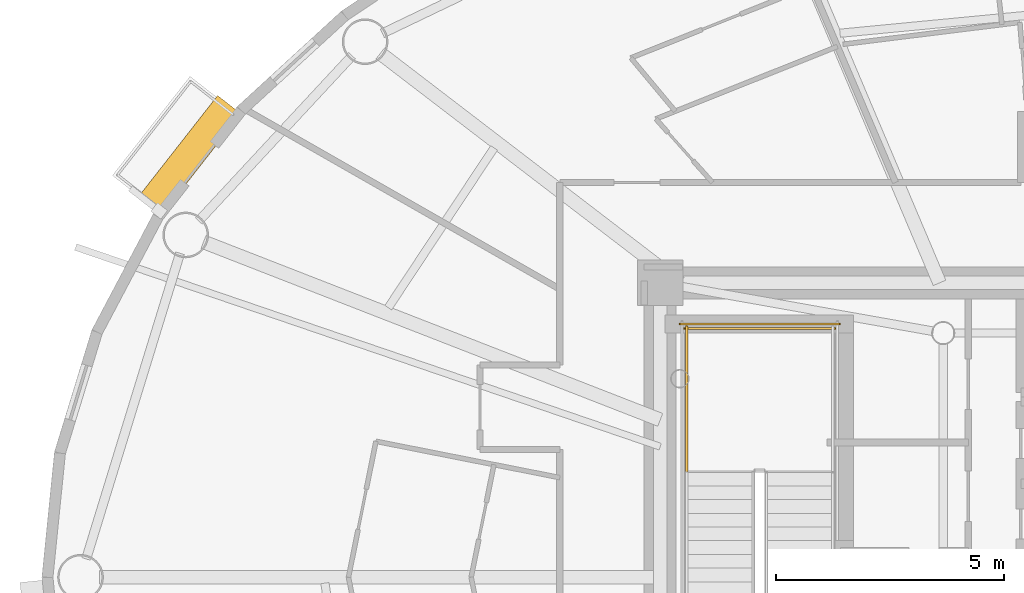
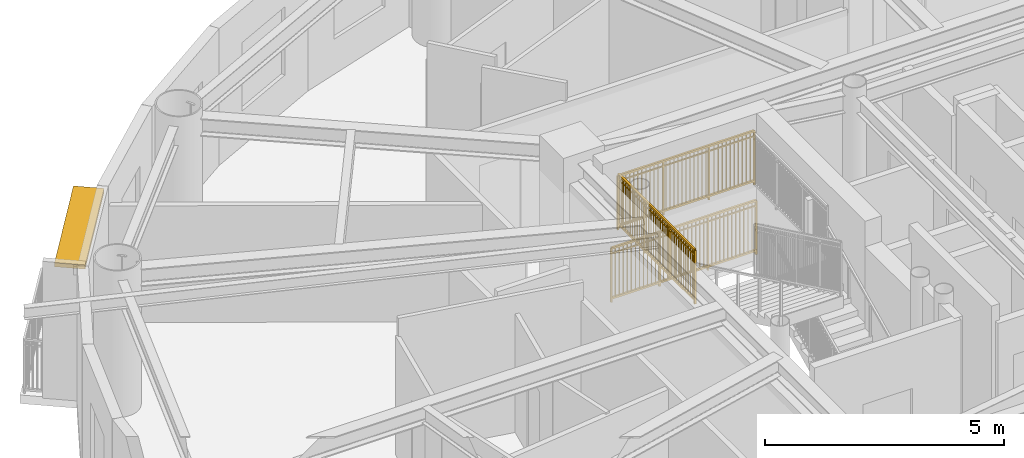
# One storey, part 14 of 17: 3 railings, 1 shading device.
"""IFC4 building model written with IfcOpenShell, lengths in metres."""

import ifcopenshell
import ifcopenshell.guid

model = None  # the IFC model being written
_history = None  # IfcOwnerHistory: only IFC2X3 demands one
_inside = {}  # id of a spatial element -> (the spatial element, [elements in it])
_under = {}  # id of a project, library or spatial element -> (it, [spatial elements below it])
_declared = {}  # id of a project -> (the project, [libraries it declares])
_typed = {}  # id of a type object -> (the type object, [elements of that type])
_made_of = {}  # id of a material, layer set ... -> (it, [elements and type objects made of it])


def new_model(schema):
    """Start an empty IFC model of exactly this schema.

    Asked for "IFC4X3", IfcOpenShell would pick the latest addendum, in which some entities
    have other attributes; the version numbers below select the first issue.
    IFC2X3 requires an IfcOwnerHistory on every rooted entity: one is made here for all.
    """
    global model, _history
    if schema == "IFC4X3":
        model = ifcopenshell.file(schema_version=(4, 3, 0, 0))
    else:
        model = ifcopenshell.file(schema=schema)
    _inside.clear()
    _under.clear()
    _declared.clear()
    _typed.clear()
    _made_of.clear()
    _history = None
    if model.schema == "IFC2X3":
        org = make("IfcOrganization", Name="unknown")
        user = make(
            "IfcPersonAndOrganization",
            ThePerson=make("IfcPerson", FamilyName="unknown"),
            TheOrganization=org,
        )
        app = make(
            "IfcApplication",
            ApplicationDeveloper=org,
            Version="unknown",
            ApplicationFullName="unknown",
            ApplicationIdentifier="unknown",
        )
        _history = make(
            "IfcOwnerHistory",
            OwningUser=user,
            OwningApplication=app,
            ChangeAction="ADDED",
            CreationDate=0,
        )
    return model


def make(cls, **values):
    """One entity of the class cls with the attributes given. An attribute that is None is left unset."""
    return model.create_entity(
        cls, **{name: value for name, value in values.items() if value is not None}
    )


def rooted(cls, **values):
    """An entity with a GlobalId (a new one), such as an element, a storey or a relation."""
    return make(cls, GlobalId=ifcopenshell.guid.new(), OwnerHistory=_history, **values)


def si_unit(unit_type, name, prefix=None):
    """IfcSIUnit, for example si_unit("LENGTHUNIT", "METRE", prefix="MILLI")."""
    return make("IfcSIUnit", UnitType=unit_type, Prefix=prefix, Name=name)


def assignment(units):
    """IfcUnitAssignment: the units of a project."""
    return None if units is None else make("IfcUnitAssignment", Units=units)


def point(xyz):
    """IfcCartesianPoint."""
    return None if xyz is None else make("IfcCartesianPoint", Coordinates=xyz)


def direction(xyz):
    """IfcDirection."""
    return None if xyz is None else make("IfcDirection", DirectionRatios=xyz)


def frame(location, z_axis=None, x_axis=None):
    """IfcAxis2Placement3D, a coordinate frame: its origin and axes. An axis left out is left unset."""
    return make(
        "IfcAxis2Placement3D",
        Location=point(location),
        Axis=direction(z_axis),
        RefDirection=direction(x_axis),
    )


def frame_2d(location, x_axis=None):
    """IfcAxis2Placement2D, a coordinate frame in the plane: its origin and x axis."""
    return make(
        "IfcAxis2Placement2D", Location=point(location), RefDirection=direction(x_axis)
    )


def origin():
    """The frame at (0, 0, 0) with its axes left unset."""
    return frame((0.0, 0.0, 0.0))


def origin_2d():
    """The frame at (0, 0) in the plane with its x axis left unset."""
    return frame_2d((0.0, 0.0))


def place(relative_to, where):
    """IfcLocalPlacement: puts the frame where relative to a parent placement (None: the world)."""
    return make(
        "IfcLocalPlacement", PlacementRelTo=relative_to, RelativePlacement=where
    )


def context(
    kind, dimensions, precision=None, world=None, true_north=None, identifier=None
):
    """IfcGeometricRepresentationContext, for example the 3D "Model" context."""
    return make(
        "IfcGeometricRepresentationContext",
        ContextIdentifier=identifier,
        ContextType=kind,
        CoordinateSpaceDimension=dimensions,
        Precision=precision,
        WorldCoordinateSystem=world,
        TrueNorth=true_north,
    )


def subcontext(parent, identifier, kind, view, scale=None):
    """IfcGeometricRepresentationSubContext, for example "Body" below "Model"."""
    return make(
        "IfcGeometricRepresentationSubContext",
        ContextIdentifier=identifier,
        ContextType=kind,
        ParentContext=parent,
        TargetScale=scale,
        TargetView=view,
    )


def project(units=None, contexts=None):
    """IfcProject with its units and contexts."""
    return rooted(
        "IfcProject",
        Name="project",
        RepresentationContexts=contexts,
        UnitsInContext=assignment(units),
    )


def spatial(cls, under=None, at=None, **own):
    """A site, building, storey or space (cls), placed at a placement, below another one or the project."""
    s = rooted(cls, ObjectPlacement=at, **own)
    if under is not None:
        _under.setdefault(under.id(), (under, []))[1].append(s)
    return s


def profile(cls, at=None, kind="AREA", **sizes):
    """A parametric profile (cls). Its sizes go by their IFC names, for example OverallWidth=200.0."""
    return make(cls, ProfileType=kind, Position=at, **sizes)


def rectangle(**sizes):
    """IfcRectangleProfileDef."""
    return profile("IfcRectangleProfileDef", **sizes)


def extrude(swept, where, along, depth):
    """IfcExtrudedAreaSolid: the profile swept, set in the frame where, extruded along a direction by depth."""
    return make(
        "IfcExtrudedAreaSolid",
        SweptArea=swept,
        Position=where,
        ExtrudedDirection=direction(along),
        Depth=depth,
    )


def shape(context_of_items, identifier, shape_type, items):
    """IfcShapeRepresentation: the items that make up one representation, for example the "Body"."""
    return make(
        "IfcShapeRepresentation",
        ContextOfItems=context_of_items,
        RepresentationIdentifier=identifier,
        RepresentationType=shape_type,
        Items=items,
    )


def source(mapping_origin, context_of_items, identifier, shape_type, items):
    """IfcRepresentationMap: a shape defined once, which mapped items show again and again."""
    return make(
        "IfcRepresentationMap",
        MappingOrigin=mapping_origin,
        MappedRepresentation=shape(context_of_items, identifier, shape_type, items),
    )


def transform(
    local_origin,
    x_axis=None,
    y_axis=None,
    z_axis=None,
    scale=None,
    scale2=None,
    scale3=None,
    uniform=True,
):
    """IfcCartesianTransformationOperator3D, or its non-uniform kind. x_axis, y_axis, z_axis: its Axis1, 2, 3."""
    if uniform:
        return make(
            "IfcCartesianTransformationOperator3D",
            Axis1=direction(x_axis),
            Axis2=direction(y_axis),
            LocalOrigin=point(local_origin),
            Scale=scale,
            Axis3=direction(z_axis),
        )
    return make(
        "IfcCartesianTransformationOperator3DnonUniform",
        Axis1=direction(x_axis),
        Axis2=direction(y_axis),
        LocalOrigin=point(local_origin),
        Scale=scale,
        Axis3=direction(z_axis),
        Scale2=scale2,
        Scale3=scale3,
    )


def mapped(mapping_source, mapping_target):
    """IfcMappedItem: shows the shape of a source again, moved by a transform."""
    return make(
        "IfcMappedItem", MappingSource=mapping_source, MappingTarget=mapping_target
    )


def material(Name=None, Category=None):
    """IfcMaterial."""
    return make("IfcMaterial", Name=Name, Category=Category)


def layer(
    of_material, thickness, ventilated=None, Name=None, Category=None, Priority=None
):
    """IfcMaterialLayer: one layer of a wall or slab, of a material (None: an air gap)."""
    return make(
        "IfcMaterialLayer",
        Material=of_material,
        LayerThickness=thickness,
        IsVentilated=ventilated,
        Name=Name,
        Category=Category,
        Priority=Priority,
    )


def layer_set(layers, Name=None):
    """IfcMaterialLayerSet."""
    return make("IfcMaterialLayerSet", MaterialLayers=layers, LayerSetName=Name)


def made_of(thing, what):
    """Note that an element or type object is made of a material, layer set ...; save() writes the relation."""
    if what is not None:
        _made_of.setdefault(what.id(), (what, []))[1].append(thing)
    return thing


def type_object(cls, material=None, **own):
    """A type object (cls), such as IfcWallType, which elements share."""
    return made_of(rooted(cls, **own), material)


def element(
    cls,
    number,
    at=None,
    inside=None,
    cuts=None,
    type_object=None,
    material=None,
    context=None,
    identifier="Body",
    shape_type=None,
    held_by="IfcProductDefinitionShape",
    body=None,
    shapes=None,
    **own,
):
    """One element of the class cls, such as IfcWall. Its Tag is "e" and its number.

    at: its placement. inside: the storey or other place that contains it. cuts: it is an
    opening in that element (IfcRelVoidsElement). A single representation is given by context,
    identifier, shape_type and body (its items); several are given by shapes. held_by: the class
    of the entity that holds the representations. save() writes the other relations.
    """
    e = rooted(cls, Tag="e%d" % number, ObjectPlacement=at, **own)
    if body is not None:
        shapes = [shape(context, identifier, shape_type, body)]
    if shapes is not None:
        e.Representation = make(held_by, Representations=shapes)
    if inside is not None:
        _inside.setdefault(inside.id(), (inside, []))[1].append(e)
    if cuts is not None:
        rooted(
            "IfcRelVoidsElement", RelatingBuildingElement=cuts, RelatedOpeningElement=e
        )
    if type_object is not None:
        _typed.setdefault(type_object.id(), (type_object, []))[1].append(e)
    return made_of(e, material)


def aggregate(whole, parts):
    """IfcRelAggregates: a whole, such as a stair, and the parts it consists of."""
    return rooted("IfcRelAggregates", RelatingObject=whole, RelatedObjects=parts)


def save(model, path):
    """Write the relations noted so far, then the file.

    IfcRelAggregates (storeys below a building ...), IfcRelContainedInSpatialStructure (elements
    in a storey), IfcRelDefinesByType, IfcRelAssociatesMaterial and IfcRelDeclares: one each for
    every whole, place, type object, material and project.
    """
    for whole, parts in _under.values():
        aggregate(whole, parts)
    for where, things in _inside.values():
        rooted(
            "IfcRelContainedInSpatialStructure",
            RelatedElements=things,
            RelatingStructure=where,
        )
    for kind, things in _typed.values():
        rooted("IfcRelDefinesByType", RelatedObjects=things, RelatingType=kind)
    for what, things in _made_of.values():
        rooted("IfcRelAssociatesMaterial", RelatedObjects=things, RelatingMaterial=what)
    for by, libraries in _declared.values():
        rooted("IfcRelDeclares", RelatingContext=by, RelatedDefinitions=libraries)
    model.write(path)


model = new_model("IFC4")

# Units and contexts
model_context = context("Model", 3, precision=1e-05, world=origin(), true_north=direction((0.0, 1.0)))
body_context = subcontext(model_context, "Body", "Model", "MODEL_VIEW")
ifc_project = project(units=[si_unit("LENGTHUNIT", "METRE"), si_unit("AREAUNIT", "SQUARE_METRE"), si_unit("VOLUMEUNIT", "CUBIC_METRE"), si_unit("PLANEANGLEUNIT", "RADIAN"), si_unit("MASSUNIT", "GRAM", prefix="KILO")], contexts=[model_context])

# Site, building, storey
site_placement = place(None, origin())
site = spatial("IfcSite", under=ifc_project, at=site_placement, CompositionType="ELEMENT")
building_placement = place(site_placement, origin())
building = spatial("IfcBuilding", under=site, at=building_placement, Name="Linh Dai School and Residence Tower", CompositionType="ELEMENT")
storey_placement = place(building_placement, frame((0.0, 0.0, 299.25)))
storey = spatial("IfcBuildingStorey", under=building, at=storey_placement, Name="L74", CompositionType="ELEMENT", Elevation=299.25)

# Shading device
ifc_material_1 = material(Name="Terracotta Ceramic Sunshade", Category="masonry")
ifc_layer = layer(ifc_material_1, 0.10009765625)
ifc_layer_set = layer_set([ifc_layer], Name="Terracotta Ceramic Sunshade")
shading_device_type = type_object("IfcShadingDeviceType", Name="SHD-TC-650", PredefinedType="USERDEFINED", material=ifc_layer_set)
shared_shape_1 = source(origin(), body_context, "Body", "SweptSolid", [
    extrude(rectangle(XDim=2.84033203125, YDim=0.64990234375, at=origin_2d()), origin(), (0.0, 0.0, 1.0), 0.10009765625),
])
shading_device_placement = place(storey_placement, frame((16.83349609375, 36.2353515625, 3.3798828125), z_axis=(0.0, 0.0, 1.0), x_axis=(0.616310813471, 0.78750300393, 0.0)))
element("IfcShadingDevice", 1, at=shading_device_placement, inside=storey, type_object=shading_device_type, Name="L74 Terracotta Horizontal Sunshade Band 17", ObjectType="SUNSHADE", PredefinedType="USERDEFINED", context=body_context, shape_type="MappedRepresentation", body=[
    mapped(shared_shape_1, transform((0.0, 0.0, 0.0), x_axis=(1.0, 0.0, 0.0), y_axis=(0.0, 1.0, 0.0), z_axis=(0.0, 0.0, 1.0), scale=1.0)),
])

# Railings
ifc_material_2 = material(Name="Structural Steel S355JR", Category="steel")
railing_type = type_object("IfcRailingType", Name="RL-ST-GUARD-1400", PredefinedType="GUARDRAIL", material=ifc_material_2)
shared_shape_2 = source(origin(), body_context, "Body", "SweptSolid", [
    extrude(rectangle(XDim=0.048095703125, YDim=0.048095703125, at=origin_2d()), frame((0.0, 0.0, 1.3759765625), z_axis=(-1.0, 0.0, 0.0), x_axis=(0.0, -1.0, 0.0)), (0.0, 0.0, 1.0), 3.300048828125),
    extrude(rectangle(XDim=0.048095703125, YDim=0.048095703125, at=origin_2d()), frame((0.0, 0.0, 0.10009765625), z_axis=(-1.0, 0.0, 0.0), x_axis=(0.0, -1.0, 0.0)), (0.0, 0.0, 1.0), 3.300048828125),
    extrude(rectangle(XDim=0.030029296875, YDim=0.030029296875, at=origin_2d()), frame((0.0, 0.0, 1.239990234375), z_axis=(-1.0, 0.0, 0.0), x_axis=(0.0, -1.0, 0.0)), (0.0, 0.0, 1.0), 3.300048828125),
    extrude(rectangle(XDim=0.02001953125, YDim=0.02001953125, at=origin_2d()), frame((-0.09716796875, 0.0, 0.10009765625)), (0.0, 0.0, 1.0), 1.251708984375),
    extrude(rectangle(XDim=0.02001953125, YDim=0.02001953125, at=origin_2d()), frame((-0.194091796875, 0.0, 0.10009765625)), (0.0, 0.0, 1.0), 1.251708984375),
    extrude(rectangle(XDim=0.02001953125, YDim=0.02001953125, at=origin_2d()), frame((-0.291259765625, 0.0, 0.10009765625)), (0.0, 0.0, 1.0), 1.251708984375),
    extrude(rectangle(XDim=0.02001953125, YDim=0.02001953125, at=origin_2d()), frame((-0.38818359375, 0.0, 0.10009765625)), (0.0, 0.0, 1.0), 1.251708984375),
    extrude(rectangle(XDim=0.02001953125, YDim=0.02001953125, at=origin_2d()), frame((-0.4853515625, 0.0, 0.10009765625)), (0.0, 0.0, 1.0), 1.251708984375),
    extrude(rectangle(XDim=0.02001953125, YDim=0.02001953125, at=origin_2d()), frame((-0.582275390625, 0.0, 0.10009765625)), (0.0, 0.0, 1.0), 1.251708984375),
    extrude(rectangle(XDim=0.02001953125, YDim=0.02001953125, at=origin_2d()), frame((-0.679443359375, 0.0, 0.10009765625)), (0.0, 0.0, 1.0), 1.251708984375),
    extrude(rectangle(XDim=0.02001953125, YDim=0.02001953125, at=origin_2d()), frame((-0.7763671875, 0.0, 0.10009765625)), (0.0, 0.0, 1.0), 1.251708984375),
    extrude(rectangle(XDim=0.02001953125, YDim=0.02001953125, at=origin_2d()), frame((-0.87353515625, 0.0, 0.10009765625)), (0.0, 0.0, 1.0), 1.251708984375),
    extrude(rectangle(XDim=0.02001953125, YDim=0.02001953125, at=origin_2d()), frame((-0.970703125, 0.0, 0.10009765625)), (0.0, 0.0, 1.0), 1.251708984375),
    extrude(rectangle(XDim=0.02001953125, YDim=0.02001953125, at=origin_2d()), frame((-1.164794921875, 0.0, 0.10009765625)), (0.0, 0.0, 1.0), 1.251708984375),
    extrude(rectangle(XDim=0.02001953125, YDim=0.02001953125, at=origin_2d()), frame((-1.26171875, 0.0, 0.10009765625)), (0.0, 0.0, 1.0), 1.251708984375),
    extrude(rectangle(XDim=0.02001953125, YDim=0.02001953125, at=origin_2d()), frame((-1.35888671875, 0.0, 0.10009765625)), (0.0, 0.0, 1.0), 1.251708984375),
    extrude(rectangle(XDim=0.02001953125, YDim=0.02001953125, at=origin_2d()), frame((-1.455810546875, 0.0, 0.10009765625)), (0.0, 0.0, 1.0), 1.251708984375),
    extrude(rectangle(XDim=0.02001953125, YDim=0.02001953125, at=origin_2d()), frame((-1.552978515625, 0.0, 0.10009765625)), (0.0, 0.0, 1.0), 1.251708984375),
    extrude(rectangle(XDim=0.02001953125, YDim=0.02001953125, at=origin_2d()), frame((-1.64990234375, 0.0, 0.10009765625)), (0.0, 0.0, 1.0), 1.251708984375),
    extrude(rectangle(XDim=0.02001953125, YDim=0.02001953125, at=origin_2d()), frame((-1.7470703125, 0.0, 0.10009765625)), (0.0, 0.0, 1.0), 1.251708984375),
    extrude(rectangle(XDim=0.02001953125, YDim=0.02001953125, at=origin_2d()), frame((-1.84423828125, 0.0, 0.10009765625)), (0.0, 0.0, 1.0), 1.251708984375),
    extrude(rectangle(XDim=0.02001953125, YDim=0.02001953125, at=origin_2d()), frame((-1.941162109375, 0.0, 0.10009765625)), (0.0, 0.0, 1.0), 1.251708984375),
    extrude(rectangle(XDim=0.02001953125, YDim=0.02001953125, at=origin_2d()), frame((-2.038330078125, 0.0, 0.10009765625)), (0.0, 0.0, 1.0), 1.251708984375),
    extrude(rectangle(XDim=0.02001953125, YDim=0.02001953125, at=origin_2d()), frame((-2.13525390625, 0.0, 0.10009765625)), (0.0, 0.0, 1.0), 1.251708984375),
    extrude(rectangle(XDim=0.02001953125, YDim=0.02001953125, at=origin_2d()), frame((-2.329345703125, 0.0, 0.10009765625)), (0.0, 0.0, 1.0), 1.251708984375),
    extrude(rectangle(XDim=0.02001953125, YDim=0.02001953125, at=origin_2d()), frame((-2.426513671875, 0.0, 0.10009765625)), (0.0, 0.0, 1.0), 1.251708984375),
    extrude(rectangle(XDim=0.02001953125, YDim=0.02001953125, at=origin_2d()), frame((-2.523681640625, 0.0, 0.10009765625)), (0.0, 0.0, 1.0), 1.251708984375),
    extrude(rectangle(XDim=0.02001953125, YDim=0.02001953125, at=origin_2d()), frame((-2.62060546875, 0.0, 0.10009765625)), (0.0, 0.0, 1.0), 1.251708984375),
    extrude(rectangle(XDim=0.02001953125, YDim=0.02001953125, at=origin_2d()), frame((-2.7177734375, 0.0, 0.10009765625)), (0.0, 0.0, 1.0), 1.251708984375),
    extrude(rectangle(XDim=0.02001953125, YDim=0.02001953125, at=origin_2d()), frame((-2.814697265625, 0.0, 0.10009765625)), (0.0, 0.0, 1.0), 1.251708984375),
    extrude(rectangle(XDim=0.02001953125, YDim=0.02001953125, at=origin_2d()), frame((-2.911865234375, 0.0, 0.10009765625)), (0.0, 0.0, 1.0), 1.251708984375),
    extrude(rectangle(XDim=0.02001953125, YDim=0.02001953125, at=origin_2d()), frame((-3.0087890625, 0.0, 0.10009765625)), (0.0, 0.0, 1.0), 1.251708984375),
    extrude(rectangle(XDim=0.02001953125, YDim=0.02001953125, at=origin_2d()), frame((-3.10595703125, 0.0, 0.10009765625)), (0.0, 0.0, 1.0), 1.251708984375),
    extrude(rectangle(XDim=0.02001953125, YDim=0.02001953125, at=origin_2d()), frame((-3.202880859375, 0.0, 0.10009765625)), (0.0, 0.0, 1.0), 1.251708984375),
    extrude(rectangle(XDim=0.0419921875, YDim=0.0419921875, at=origin_2d()), origin(), (0.0, 0.0, 1.0), 1.3759765625),
    extrude(rectangle(XDim=0.0419921875, YDim=0.0419921875, at=origin_2d()), frame((-1.10009765625, 0.0, 0.0)), (0.0, 0.0, 1.0), 1.3759765625),
    extrude(rectangle(XDim=0.0419921875, YDim=0.0419921875, at=origin_2d()), frame((-2.199951171875, 0.0, 0.0)), (0.0, 0.0, 1.0), 1.3759765625),
    extrude(rectangle(XDim=0.0419921875, YDim=0.0419921875, at=origin_2d()), frame((-3.300048828125, 0.0, 0.0)), (0.0, 0.0, 1.0), 1.3759765625),
])
railing_1_placement = place(storey_placement, frame((30.97998046875, 32.449951171875, 1.875)))
element("IfcRailing", 2, at=railing_1_placement, inside=storey, type_object=railing_type, Name="L74 ST1 stair guard 5", PredefinedType="GUARDRAIL", context=body_context, shape_type="MappedRepresentation", body=[
    mapped(shared_shape_2, transform((0.0, 0.0, 0.0), x_axis=(1.0, 0.0, 0.0), y_axis=(0.0, 1.0, 0.0), z_axis=(0.0, 0.0, 1.0), scale=1.0)),
])
shared_shape_3 = source(origin(), body_context, "Body", "SweptSolid", [
    extrude(rectangle(XDim=0.048095703125, YDim=0.048095703125, at=origin_2d()), frame((0.0, 0.0, 1.3759765625), z_axis=(-1.0, 0.0, 0.0), x_axis=(0.0, -1.0, 0.0)), (0.0, 0.0, 1.0), 3.5),
    extrude(rectangle(XDim=0.048095703125, YDim=0.048095703125, at=origin_2d()), frame((0.0, 0.0, 0.10009765625), z_axis=(-1.0, 0.0, 0.0), x_axis=(0.0, -1.0, 0.0)), (0.0, 0.0, 1.0), 3.5),
    extrude(rectangle(XDim=0.030029296875, YDim=0.030029296875, at=origin_2d()), frame((0.0, 0.0, 1.239990234375), z_axis=(-1.0, 0.0, 0.0), x_axis=(0.0, -1.0, 0.0)), (0.0, 0.0, 1.0), 3.5),
    extrude(rectangle(XDim=0.02001953125, YDim=0.02001953125, at=origin_2d()), frame((-0.09716796875, 0.0, 0.10009765625)), (0.0, 0.0, 1.0), 1.251708984375),
    extrude(rectangle(XDim=0.02001953125, YDim=0.02001953125, at=origin_2d()), frame((-0.1943359375, 0.0, 0.10009765625)), (0.0, 0.0, 1.0), 1.251708984375),
    extrude(rectangle(XDim=0.02001953125, YDim=0.02001953125, at=origin_2d()), frame((-0.291748046875, 0.0, 0.10009765625)), (0.0, 0.0, 1.0), 1.251708984375),
    extrude(rectangle(XDim=0.02001953125, YDim=0.02001953125, at=origin_2d()), frame((-0.388916015625, 0.0, 0.10009765625)), (0.0, 0.0, 1.0), 1.251708984375),
    extrude(rectangle(XDim=0.02001953125, YDim=0.02001953125, at=origin_2d()), frame((-0.486083984375, 0.0, 0.10009765625)), (0.0, 0.0, 1.0), 1.251708984375),
    extrude(rectangle(XDim=0.02001953125, YDim=0.02001953125, at=origin_2d()), frame((-0.583251953125, 0.0, 0.10009765625)), (0.0, 0.0, 1.0), 1.251708984375),
    extrude(rectangle(XDim=0.02001953125, YDim=0.02001953125, at=origin_2d()), frame((-0.6806640625, 0.0, 0.10009765625)), (0.0, 0.0, 1.0), 1.251708984375),
    extrude(rectangle(XDim=0.02001953125, YDim=0.02001953125, at=origin_2d()), frame((-0.77783203125, 0.0, 0.10009765625)), (0.0, 0.0, 1.0), 1.251708984375),
    extrude(rectangle(XDim=0.02001953125, YDim=0.02001953125, at=origin_2d()), frame((-0.875, 0.0, 0.10009765625)), (0.0, 0.0, 1.0), 1.251708984375),
    extrude(rectangle(XDim=0.02001953125, YDim=0.02001953125, at=origin_2d()), frame((-0.97216796875, 0.0, 0.10009765625)), (0.0, 0.0, 1.0), 1.251708984375),
    extrude(rectangle(XDim=0.02001953125, YDim=0.02001953125, at=origin_2d()), frame((-1.0693359375, 0.0, 0.10009765625)), (0.0, 0.0, 1.0), 1.251708984375),
    extrude(rectangle(XDim=0.02001953125, YDim=0.02001953125, at=origin_2d()), frame((-1.263916015625, 0.0, 0.10009765625)), (0.0, 0.0, 1.0), 1.251708984375),
    extrude(rectangle(XDim=0.02001953125, YDim=0.02001953125, at=origin_2d()), frame((-1.361083984375, 0.0, 0.10009765625)), (0.0, 0.0, 1.0), 1.251708984375),
    extrude(rectangle(XDim=0.02001953125, YDim=0.02001953125, at=origin_2d()), frame((-1.458251953125, 0.0, 0.10009765625)), (0.0, 0.0, 1.0), 1.251708984375),
    extrude(rectangle(XDim=0.02001953125, YDim=0.02001953125, at=origin_2d()), frame((-1.5556640625, 0.0, 0.10009765625)), (0.0, 0.0, 1.0), 1.251708984375),
    extrude(rectangle(XDim=0.02001953125, YDim=0.02001953125, at=origin_2d()), frame((-1.65283203125, 0.0, 0.10009765625)), (0.0, 0.0, 1.0), 1.251708984375),
    extrude(rectangle(XDim=0.02001953125, YDim=0.02001953125, at=origin_2d()), frame((-1.75, 0.0, 0.10009765625)), (0.0, 0.0, 1.0), 1.251708984375),
    extrude(rectangle(XDim=0.02001953125, YDim=0.02001953125, at=origin_2d()), frame((-1.84716796875, 0.0, 0.10009765625)), (0.0, 0.0, 1.0), 1.251708984375),
    extrude(rectangle(XDim=0.02001953125, YDim=0.02001953125, at=origin_2d()), frame((-1.9443359375, 0.0, 0.10009765625)), (0.0, 0.0, 1.0), 1.251708984375),
    extrude(rectangle(XDim=0.02001953125, YDim=0.02001953125, at=origin_2d()), frame((-2.041748046875, 0.0, 0.10009765625)), (0.0, 0.0, 1.0), 1.251708984375),
    extrude(rectangle(XDim=0.02001953125, YDim=0.02001953125, at=origin_2d()), frame((-2.138916015625, 0.0, 0.10009765625)), (0.0, 0.0, 1.0), 1.251708984375),
    extrude(rectangle(XDim=0.02001953125, YDim=0.02001953125, at=origin_2d()), frame((-2.236083984375, 0.0, 0.10009765625)), (0.0, 0.0, 1.0), 1.251708984375),
    extrude(rectangle(XDim=0.02001953125, YDim=0.02001953125, at=origin_2d()), frame((-2.4306640625, 0.0, 0.10009765625)), (0.0, 0.0, 1.0), 1.251708984375),
    extrude(rectangle(XDim=0.02001953125, YDim=0.02001953125, at=origin_2d()), frame((-2.52783203125, 0.0, 0.10009765625)), (0.0, 0.0, 1.0), 1.251708984375),
    extrude(rectangle(XDim=0.02001953125, YDim=0.02001953125, at=origin_2d()), frame((-2.625, 0.0, 0.10009765625)), (0.0, 0.0, 1.0), 1.251708984375),
    extrude(rectangle(XDim=0.02001953125, YDim=0.02001953125, at=origin_2d()), frame((-2.72216796875, 0.0, 0.10009765625)), (0.0, 0.0, 1.0), 1.251708984375),
    extrude(rectangle(XDim=0.02001953125, YDim=0.02001953125, at=origin_2d()), frame((-2.8193359375, 0.0, 0.10009765625)), (0.0, 0.0, 1.0), 1.251708984375),
    extrude(rectangle(XDim=0.02001953125, YDim=0.02001953125, at=origin_2d()), frame((-2.916748046875, 0.0, 0.10009765625)), (0.0, 0.0, 1.0), 1.251708984375),
    extrude(rectangle(XDim=0.02001953125, YDim=0.02001953125, at=origin_2d()), frame((-3.013916015625, 0.0, 0.10009765625)), (0.0, 0.0, 1.0), 1.251708984375),
    extrude(rectangle(XDim=0.02001953125, YDim=0.02001953125, at=origin_2d()), frame((-3.111083984375, 0.0, 0.10009765625)), (0.0, 0.0, 1.0), 1.251708984375),
    extrude(rectangle(XDim=0.02001953125, YDim=0.02001953125, at=origin_2d()), frame((-3.208251953125, 0.0, 0.10009765625)), (0.0, 0.0, 1.0), 1.251708984375),
    extrude(rectangle(XDim=0.02001953125, YDim=0.02001953125, at=origin_2d()), frame((-3.3056640625, 0.0, 0.10009765625)), (0.0, 0.0, 1.0), 1.251708984375),
    extrude(rectangle(XDim=0.02001953125, YDim=0.02001953125, at=origin_2d()), frame((-3.40283203125, 0.0, 0.10009765625)), (0.0, 0.0, 1.0), 1.251708984375),
    extrude(rectangle(XDim=0.0419921875, YDim=0.0419921875, at=origin_2d()), origin(), (0.0, 0.0, 1.0), 1.3759765625),
    extrude(rectangle(XDim=0.0419921875, YDim=0.0419921875, at=origin_2d()), frame((-1.166748046875, 0.0, 0.0)), (0.0, 0.0, 1.0), 1.3759765625),
    extrude(rectangle(XDim=0.0419921875, YDim=0.0419921875, at=origin_2d()), frame((-2.333251953125, 0.0, 0.0)), (0.0, 0.0, 1.0), 1.3759765625),
    extrude(rectangle(XDim=0.0419921875, YDim=0.0419921875, at=origin_2d()), frame((-3.5, 0.0, 0.0)), (0.0, 0.0, 1.0), 1.3759765625),
])
railing_2_placement = place(storey_placement, frame((31.080078125, 32.550048828125, 0.0)))
element("IfcRailing", 3, at=railing_2_placement, inside=storey, type_object=railing_type, Name="L74 ST1 stair guard 12", PredefinedType="GUARDRAIL", context=body_context, shape_type="MappedRepresentation", body=[
    mapped(shared_shape_3, transform((0.0, 0.0, 0.0), x_axis=(1.0, 0.0, 0.0), y_axis=(0.0, 1.0, 0.0), z_axis=(0.0, 0.0, 1.0), scale=1.0)),
])
shared_shape_4 = source(origin(), body_context, "Body", "SweptSolid", [
    extrude(rectangle(XDim=0.048095703125, YDim=0.048095703125, at=origin_2d()), frame((0.0, 0.0, 1.3759765625), z_axis=(0.0, 1.0, 0.0), x_axis=(-1.0, 0.0, 0.0)), (0.0, 0.0, 1.0), 3.199951171875),
    extrude(rectangle(XDim=0.048095703125, YDim=0.048095703125, at=origin_2d()), frame((0.0, 0.0, 0.10009765625), z_axis=(0.0, 1.0, 0.0), x_axis=(-1.0, 0.0, 0.0)), (0.0, 0.0, 1.0), 3.199951171875),
    extrude(rectangle(XDim=0.030029296875, YDim=0.030029296875, at=origin_2d()), frame((0.0, 0.0, 1.239990234375), z_axis=(0.0, 1.0, 0.0), x_axis=(-1.0, 0.0, 0.0)), (0.0, 0.0, 1.0), 3.199951171875),
    extrude(rectangle(XDim=0.02001953125, YDim=0.02001953125, at=origin_2d()), frame((0.0, 0.096923828125, 0.10009765625)), (0.0, 0.0, 1.0), 1.251708984375),
    extrude(rectangle(XDim=0.02001953125, YDim=0.02001953125, at=origin_2d()), frame((0.0, 0.19384765625, 0.10009765625)), (0.0, 0.0, 1.0), 1.251708984375),
    extrude(rectangle(XDim=0.02001953125, YDim=0.02001953125, at=origin_2d()), frame((0.0, 0.291015625, 0.10009765625)), (0.0, 0.0, 1.0), 1.251708984375),
    extrude(rectangle(XDim=0.02001953125, YDim=0.02001953125, at=origin_2d()), frame((0.0, 0.387939453125, 0.10009765625)), (0.0, 0.0, 1.0), 1.251708984375),
    extrude(rectangle(XDim=0.02001953125, YDim=0.02001953125, at=origin_2d()), frame((0.0, 0.48486328125, 0.10009765625)), (0.0, 0.0, 1.0), 1.251708984375),
    extrude(rectangle(XDim=0.02001953125, YDim=0.02001953125, at=origin_2d()), frame((0.0, 0.581787109375, 0.10009765625)), (0.0, 0.0, 1.0), 1.251708984375),
    extrude(rectangle(XDim=0.02001953125, YDim=0.02001953125, at=origin_2d()), frame((0.0, 0.6787109375, 0.10009765625)), (0.0, 0.0, 1.0), 1.251708984375),
    extrude(rectangle(XDim=0.02001953125, YDim=0.02001953125, at=origin_2d()), frame((0.0, 0.775634765625, 0.10009765625)), (0.0, 0.0, 1.0), 1.251708984375),
    extrude(rectangle(XDim=0.02001953125, YDim=0.02001953125, at=origin_2d()), frame((0.0, 0.872802734375, 0.10009765625)), (0.0, 0.0, 1.0), 1.251708984375),
    extrude(rectangle(XDim=0.02001953125, YDim=0.02001953125, at=origin_2d()), frame((0.0, 0.9697265625, 0.10009765625)), (0.0, 0.0, 1.0), 1.251708984375),
    extrude(rectangle(XDim=0.02001953125, YDim=0.02001953125, at=origin_2d()), frame((0.0, 1.16357421875, 0.10009765625)), (0.0, 0.0, 1.0), 1.251708984375),
    extrude(rectangle(XDim=0.02001953125, YDim=0.02001953125, at=origin_2d()), frame((0.0, 1.260498046875, 0.10009765625)), (0.0, 0.0, 1.0), 1.251708984375),
    extrude(rectangle(XDim=0.02001953125, YDim=0.02001953125, at=origin_2d()), frame((0.0, 1.357666015625, 0.10009765625)), (0.0, 0.0, 1.0), 1.251708984375),
    extrude(rectangle(XDim=0.02001953125, YDim=0.02001953125, at=origin_2d()), frame((0.0, 1.45458984375, 0.10009765625)), (0.0, 0.0, 1.0), 1.251708984375),
    extrude(rectangle(XDim=0.02001953125, YDim=0.02001953125, at=origin_2d()), frame((0.0, 1.551513671875, 0.10009765625)), (0.0, 0.0, 1.0), 1.251708984375),
    extrude(rectangle(XDim=0.02001953125, YDim=0.02001953125, at=origin_2d()), frame((0.0, 1.6484375, 0.10009765625)), (0.0, 0.0, 1.0), 1.251708984375),
    extrude(rectangle(XDim=0.02001953125, YDim=0.02001953125, at=origin_2d()), frame((0.0, 1.745361328125, 0.10009765625)), (0.0, 0.0, 1.0), 1.251708984375),
    extrude(rectangle(XDim=0.02001953125, YDim=0.02001953125, at=origin_2d()), frame((0.0, 1.84228515625, 0.10009765625)), (0.0, 0.0, 1.0), 1.251708984375),
    extrude(rectangle(XDim=0.02001953125, YDim=0.02001953125, at=origin_2d()), frame((0.0, 1.939453125, 0.10009765625)), (0.0, 0.0, 1.0), 1.251708984375),
    extrude(rectangle(XDim=0.02001953125, YDim=0.02001953125, at=origin_2d()), frame((0.0, 2.036376953125, 0.10009765625)), (0.0, 0.0, 1.0), 1.251708984375),
    extrude(rectangle(XDim=0.02001953125, YDim=0.02001953125, at=origin_2d()), frame((0.0, 2.230224609375, 0.10009765625)), (0.0, 0.0, 1.0), 1.251708984375),
    extrude(rectangle(XDim=0.02001953125, YDim=0.02001953125, at=origin_2d()), frame((0.0, 2.3271484375, 0.10009765625)), (0.0, 0.0, 1.0), 1.251708984375),
    extrude(rectangle(XDim=0.02001953125, YDim=0.02001953125, at=origin_2d()), frame((0.0, 2.42431640625, 0.10009765625)), (0.0, 0.0, 1.0), 1.251708984375),
    extrude(rectangle(XDim=0.02001953125, YDim=0.02001953125, at=origin_2d()), frame((0.0, 2.521240234375, 0.10009765625)), (0.0, 0.0, 1.0), 1.251708984375),
    extrude(rectangle(XDim=0.02001953125, YDim=0.02001953125, at=origin_2d()), frame((0.0, 2.6181640625, 0.10009765625)), (0.0, 0.0, 1.0), 1.251708984375),
    extrude(rectangle(XDim=0.02001953125, YDim=0.02001953125, at=origin_2d()), frame((0.0, 2.715087890625, 0.10009765625)), (0.0, 0.0, 1.0), 1.251708984375),
    extrude(rectangle(XDim=0.02001953125, YDim=0.02001953125, at=origin_2d()), frame((0.0, 2.81201171875, 0.10009765625)), (0.0, 0.0, 1.0), 1.251708984375),
    extrude(rectangle(XDim=0.02001953125, YDim=0.02001953125, at=origin_2d()), frame((0.0, 2.908935546875, 0.10009765625)), (0.0, 0.0, 1.0), 1.251708984375),
    extrude(rectangle(XDim=0.02001953125, YDim=0.02001953125, at=origin_2d()), frame((0.0, 3.006103515625, 0.10009765625)), (0.0, 0.0, 1.0), 1.251708984375),
    extrude(rectangle(XDim=0.02001953125, YDim=0.02001953125, at=origin_2d()), frame((0.0, 3.10302734375, 0.10009765625)), (0.0, 0.0, 1.0), 1.251708984375),
    extrude(rectangle(XDim=0.0419921875, YDim=0.0419921875, at=origin_2d()), origin(), (0.0, 0.0, 1.0), 1.3759765625),
    extrude(rectangle(XDim=0.0419921875, YDim=0.0419921875, at=origin_2d()), frame((0.0, 1.066650390625, 0.0)), (0.0, 0.0, 1.0), 1.3759765625),
    extrude(rectangle(XDim=0.0419921875, YDim=0.0419921875, at=origin_2d()), frame((0.0, 2.13330078125, 0.0)), (0.0, 0.0, 1.0), 1.3759765625),
    extrude(rectangle(XDim=0.0419921875, YDim=0.0419921875, at=origin_2d()), frame((0.0, 3.199951171875, 0.0)), (0.0, 0.0, 1.0), 1.3759765625),
])
railing_3_placement = place(storey_placement, frame((27.72998046875, 29.300048828125, 1.875)))
element("IfcRailing", 4, at=railing_3_placement, inside=storey, type_object=railing_type, Name="L74 ST1 stair guard 4", PredefinedType="GUARDRAIL", context=body_context, shape_type="MappedRepresentation", body=[
    mapped(shared_shape_4, transform((0.0, 0.0, 0.0), x_axis=(1.0, 0.0, 0.0), y_axis=(0.0, 1.0, 0.0), z_axis=(0.0, 0.0, 1.0), scale=1.0)),
])

save(model, "model.ifc")
